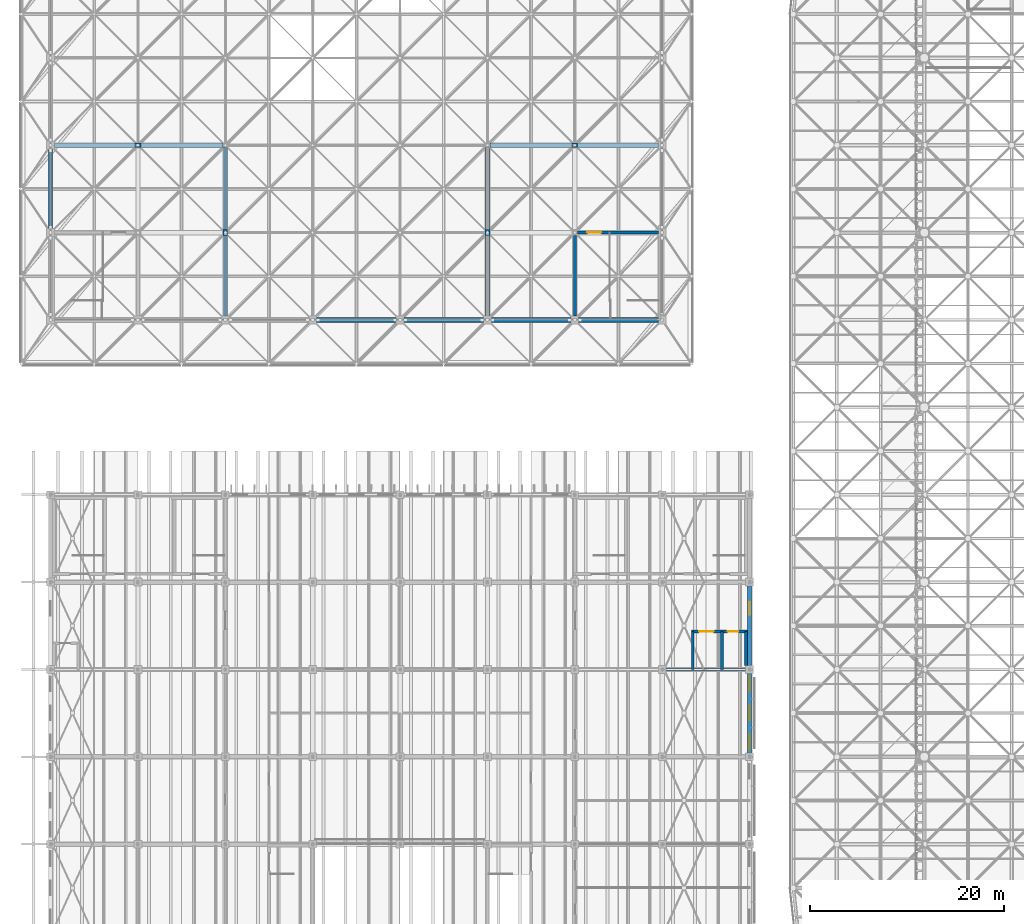
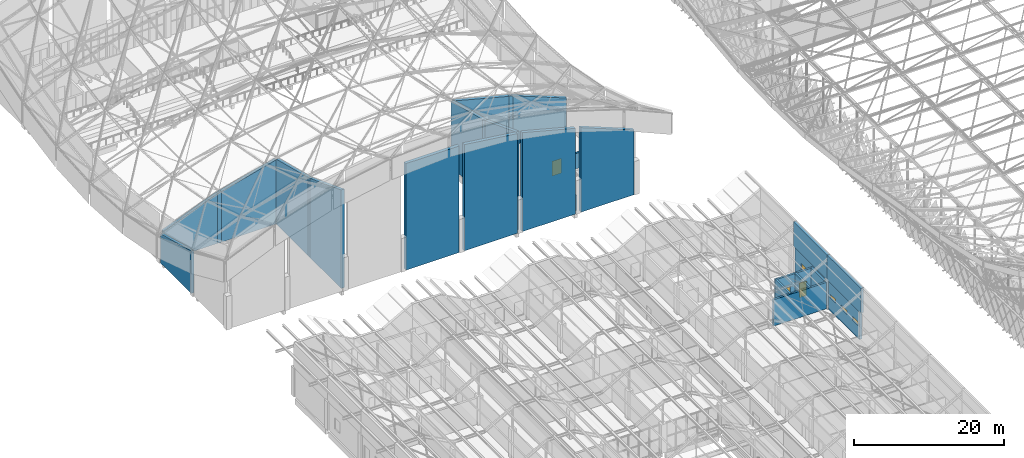
# One storey, part 270 of 437: 28 walls, 4 windows, 3 doors, 7 openings.
"""IFC4 building model written with IfcOpenShell, lengths in metres."""

from ifc_helpers import new_model, si_unit, direction, frame, frame_2d, origin, place, context, subcontext, project, spatial, polyline, rectangle, outline, extrude, material, layer, layer_set, type_object, element, fill, save


model = new_model("IFC4")

# Units and contexts
model_context = context("Model", 3, precision=1e-05, world=origin(), true_north=direction((0.0, 1.0)))
body_context = subcontext(model_context, "Body", "Model", "MODEL_VIEW")
ifc_project = project(units=[si_unit("LENGTHUNIT", "METRE"), si_unit("AREAUNIT", "SQUARE_METRE"), si_unit("VOLUMEUNIT", "CUBIC_METRE"), si_unit("PLANEANGLEUNIT", "RADIAN"), si_unit("MASSUNIT", "GRAM", prefix="KILO")], contexts=[model_context])

# Site, building, storey
site_placement = place(None, origin())
site = spatial("IfcSite", under=ifc_project, at=site_placement, CompositionType="ELEMENT")
building_placement = place(site_placement, origin())
building = spatial("IfcBuilding", under=site, at=building_placement, Name="Opaline Strait Convention Centre", CompositionType="ELEMENT")
storey_placement = place(building_placement, frame((0.0, 0.0, 11.5)))
storey = spatial("IfcBuildingStorey", under=building, at=storey_placement, Name="L02", CompositionType="ELEMENT", Elevation=11.5)

# Walls
ifc_material_1 = material(Name="Concrete C40", Category="concrete")
ifc_layer_1 = layer(ifc_material_1, 0.320068359375)
ifc_material_2 = material(Name="Mineral wool insulation")
ifc_layer_2 = layer(ifc_material_2, 0.050048828125)
ifc_material_3 = material(Name="Gypsum board lining")
ifc_layer_3 = layer(ifc_material_3, 0.030029296875)
ifc_layer_set_1 = layer_set([ifc_layer_1, ifc_layer_2, ifc_layer_3], Name="Concrete C40, Mineral wool insulation, Gypsum board lining")
wall_type_1 = type_object("IfcWallType", Name="RC external wall 400 C40", PredefinedType="SOLIDWALL", material=ifc_layer_set_1)
wall_1_placement = place(storey_placement, frame((9.0, 126.39990234375, 0.0), z_axis=(0.0, 0.0, 1.0), x_axis=(0.0, 1.0, 0.0)))
element("IfcWall", 1, at=wall_1_placement, inside=storey, type_object=wall_type_1, Name="PW1 west wall L02 2/Q-2/R", PredefinedType="SOLIDWALL", context=body_context, shape_type="SweptSolid", body=[
    extrude(outline(polyline([(0.0, 0.0), (8.2001953125, 0.0), (8.199951171875, 4.775634765625), (0.0, 6.935546875), (0.0, 0.0)])), frame((0.0, 0.199951171875, 0.0), z_axis=(0.0, -1.0, 0.0), x_axis=(1.0, 0.0, 0.0)), (0.0, 0.0, 1.0), 0.39990234375),
])
ifc_layer_4 = layer(ifc_material_1, 0.419921875)
ifc_layer_5 = layer(ifc_material_2, 0.050048828125)
ifc_layer_6 = layer(ifc_material_3, 0.030029296875)
ifc_layer_set_2 = layer_set([ifc_layer_4, ifc_layer_5, ifc_layer_6], Name="Concrete C40, Mineral wool insulation, Gypsum board lining")
wall_type_2 = type_object("IfcWallType", Name="RC stage wall 500 C40", PredefinedType="SOLIDWALL", material=ifc_layer_set_2)
wall_2_placement = place(storey_placement, frame((36.39990234375, 117.0, 0.0), z_axis=(0.0, 0.0, 1.0), x_axis=(1.0, 0.0, 0.0)))
element("IfcWall", 2, at=wall_2_placement, inside=storey, type_object=wall_type_2, Name="PW2 south stage wall L02 5/P-6/P", PredefinedType="SOLIDWALL", context=body_context, shape_type="SweptSolid", body=[
    extrude(outline(polyline([(0.0, 0.0), (8.2001953125, 0.0), (8.199951171875, 17.397216796875), (0.0, 17.397216796875), (0.0, 0.0)])), frame((0.0, 0.25, 0.0), z_axis=(0.0, -1.0, 0.0), x_axis=(1.0, 0.0, 0.0)), (0.0, 0.0, 1.0), 0.5),
])
wall_3_placement = place(storey_placement, frame((45.39990234375, 117.0, 0.0), z_axis=(0.0, 0.0, 1.0), x_axis=(1.0, 0.0, 0.0)))
element("IfcWall", 3, at=wall_3_placement, inside=storey, type_object=wall_type_2, Name="PW2 south stage wall L02 6/P-7/P", PredefinedType="SOLIDWALL", context=body_context, shape_type="SweptSolid", body=[
    extrude(outline(polyline([(0.0, 0.0), (8.2001953125, 0.0), (8.199951171875, 16.26708984375), (0.0, 17.34619140625), (0.0, 0.0)])), frame((0.0, 0.25, 0.0), z_axis=(0.0, -1.0, 0.0), x_axis=(1.0, 0.0, 0.0)), (0.0, 0.0, 1.0), 0.5),
])
wall_4_placement = place(storey_placement, frame((54.39990234375, 117.0, 0.0), z_axis=(0.0, 0.0, 1.0), x_axis=(1.0, 0.0, 0.0)))
element("IfcWall", 4, at=wall_4_placement, inside=storey, type_object=wall_type_2, Name="PW2 south stage wall L02 7/P-8/P", PredefinedType="SOLIDWALL", context=body_context, shape_type="SweptSolid", body=[
    extrude(outline(polyline([(0.0, 0.0), (8.2001953125, 0.0), (8.199951171875, 13.993896484375), (0.0, 16.152587890625), (0.0, 0.0)])), frame((0.0, 0.25, 0.0), z_axis=(0.0, -1.0, 0.0), x_axis=(1.0, 0.0, 0.0)), (0.0, 0.0, 1.0), 0.5),
])
wall_5_placement = place(storey_placement, frame((63.39990234375, 117.0, 0.0), z_axis=(0.0, 0.0, 1.0), x_axis=(1.0, 0.0, 0.0)))
element("IfcWall", 5, at=wall_5_placement, inside=storey, type_object=wall_type_2, Name="PW2 south stage wall L02 8/P-9/P", PredefinedType="SOLIDWALL", context=body_context, shape_type="SweptSolid", body=[
    extrude(outline(polyline([(0.0, 0.0), (8.2001953125, 0.0), (8.199951171875, 10.578125), (0.0, 13.816162109375), (0.0, 0.0)])), frame((0.0, 0.25, 0.0), z_axis=(0.0, -1.0, 0.0), x_axis=(1.0, 0.0, 0.0)), (0.0, 0.0, 1.0), 0.5),
])
wall_6_placement = place(storey_placement, frame((9.39990234375, 135.0, 0.0), z_axis=(0.0, 0.0, 1.0), x_axis=(1.0, 0.0, 0.0)))
element("IfcWall", 6, at=wall_6_placement, inside=storey, type_object=wall_type_2, Name="PW2 proscenium wall L02 wing", PredefinedType="SOLIDWALL", context=body_context, shape_type="SweptSolid", body=[
    extrude(outline(polyline([(0.0, 0.0), (8.300048828125, 0.0), (8.300048828125, 8.139892578125), (0.0, 4.86376953125), (0.0, 0.0)])), frame((0.0, 0.25, 0.0), z_axis=(0.0, -1.0, 0.0), x_axis=(1.0, 0.0, 0.0)), (0.0, 0.0, 1.0), 0.5),
])
wall_7_placement = place(storey_placement, frame((18.300048828125, 135.0, 0.0), z_axis=(0.0, 0.0, 1.0), x_axis=(1.0, 0.0, 0.0)))
element("IfcWall", 7, at=wall_7_placement, inside=storey, type_object=wall_type_2, Name="PW2 proscenium wall L02 wing", PredefinedType="SOLIDWALL", context=body_context, shape_type="SweptSolid", body=[
    extrude(outline(polyline([(0.0, 0.0), (8.449951171875, 0.0), (8.449951171875, 10.4765625), (0.0, 8.25439453125), (0.0, 0.0)])), frame((0.0, 0.25, 0.0), z_axis=(0.0, -1.0, 0.0), x_axis=(1.0, 0.0, 0.0)), (0.0, 0.0, 1.0), 0.5),
])
wall_8_placement = place(storey_placement, frame((54.25, 135.0, 0.0), z_axis=(0.0, 0.0, 1.0), x_axis=(1.0, 0.0, 0.0)))
element("IfcWall", 8, at=wall_8_placement, inside=storey, type_object=wall_type_2, Name="PW2 proscenium wall L02 wing", PredefinedType="SOLIDWALL", context=body_context, shape_type="SweptSolid", body=[
    extrude(outline(polyline([(0.0, 0.0), (8.449951171875, 0.0), (8.449951171875, 8.25439453125), (0.0, 10.4765625), (0.0, 0.0)])), frame((0.0, 0.25, 0.0), z_axis=(0.0, -1.0, 0.0), x_axis=(1.0, 0.0, 0.0)), (0.0, 0.0, 1.0), 0.5),
])
wall_9_placement = place(storey_placement, frame((63.300048828125, 135.0, 0.0), z_axis=(0.0, 0.0, 1.0), x_axis=(1.0, 0.0, 0.0)))
element("IfcWall", 9, at=wall_9_placement, inside=storey, type_object=wall_type_2, Name="PW2 proscenium wall L02 wing", PredefinedType="SOLIDWALL", context=body_context, shape_type="SweptSolid", body=[
    extrude(outline(polyline([(0.0, 0.0), (8.300048828125, 0.0), (8.300048828125, 4.86376953125), (0.0, 8.139892578125), (0.0, 0.0)])), frame((0.0, 0.25, 0.0), z_axis=(0.0, -1.0, 0.0), x_axis=(1.0, 0.0, 0.0)), (0.0, 0.0, 1.0), 0.5),
])
wall_10_placement = place(storey_placement, frame((27.0, 117.39990234375, 0.0), z_axis=(0.0, 0.0, 1.0), x_axis=(0.0, 1.0, 0.0)))
element("IfcWall", 10, at=wall_10_placement, inside=storey, type_object=wall_type_2, Name="PW2 stage side wall L02 at 4/P", PredefinedType="SOLIDWALL", context=body_context, shape_type="SweptSolid", body=[
    extrude(outline(polyline([(0.0, 0.0), (8.300048828125, 0.0), (8.300048828125, 12.921630859375), (0.0, 16.07763671875), (0.0, 0.0)])), frame((0.0, 0.25, 0.0), z_axis=(0.0, -1.0, 0.0), x_axis=(1.0, 0.0, 0.0)), (0.0, 0.0, 1.0), 0.5),
])
wall_11_placement = place(storey_placement, frame((27.0, 126.300048828125, 0.0), z_axis=(0.0, 0.0, 1.0), x_axis=(0.0, 1.0, 0.0)))
element("IfcWall", 11, at=wall_11_placement, inside=storey, type_object=wall_type_2, Name="PW2 stage side wall L02 at 4/P", PredefinedType="SOLIDWALL", context=body_context, shape_type="SweptSolid", body=[
    extrude(outline(polyline([(0.0, 0.0), (8.449951171875, 0.0), (8.449951171875, 10.588134765625), (0.0, 12.731201171875), (0.0, 0.0)])), frame((0.0, 0.25, 0.0), z_axis=(0.0, -1.0, 0.0), x_axis=(1.0, 0.0, 0.0)), (0.0, 0.0, 1.0), 0.5),
])
wall_12_placement = place(storey_placement, frame((54.0, 117.39990234375, 0.0), z_axis=(0.0, 0.0, 1.0), x_axis=(0.0, 1.0, 0.0)))
element("IfcWall", 12, at=wall_12_placement, inside=storey, type_object=wall_type_2, Name="PW2 stage side wall L02 at 7/P", PredefinedType="SOLIDWALL", context=body_context, shape_type="SweptSolid", body=[
    extrude(outline(polyline([(0.0, 0.0), (8.300048828125, 0.0), (8.300048828125, 12.921630859375), (0.0, 16.07763671875), (0.0, 0.0)])), frame((0.0, 0.25, 0.0), z_axis=(0.0, -1.0, 0.0), x_axis=(1.0, 0.0, 0.0)), (0.0, 0.0, 1.0), 0.5),
])
wall_13_placement = place(storey_placement, frame((54.0, 126.300048828125, 0.0), z_axis=(0.0, 0.0, 1.0), x_axis=(0.0, 1.0, 0.0)))
element("IfcWall", 13, at=wall_13_placement, inside=storey, type_object=wall_type_2, Name="PW2 stage side wall L02 at 7/P", PredefinedType="SOLIDWALL", context=body_context, shape_type="SweptSolid", body=[
    extrude(outline(polyline([(0.0, 0.0), (8.449951171875, 0.0), (8.449951171875, 10.588134765625), (0.0, 12.731201171875), (0.0, 0.0)])), frame((0.0, 0.25, 0.0), z_axis=(0.0, -1.0, 0.0), x_axis=(1.0, 0.0, 0.0)), (0.0, 0.0, 1.0), 0.5),
])
for number, where, z_axis, x_axis, name in (
    (14, (27.0, 125.699951171875, 0.0), (0.0, 0.0, 1.0), (0.0, 1.0, 0.0), "PW2 stage side wall L02 at 4/Q"),
    (15, (54.0, 125.699951171875, 0.0), (0.0, 0.0, 1.0), (0.0, 1.0, 0.0), "PW2 stage side wall L02 at 7/Q"),
):
    element("IfcWall", number, at=place(storey_placement, frame(where, z_axis=z_axis, x_axis=x_axis)), inside=storey, type_object=wall_type_2, Name=name, PredefinedType="SOLIDWALL", context=body_context, shape_type="SweptSolid", body=[
        extrude(outline(polyline([(0.0, 0.0), (0.60009765625, 0.0), (0.60009765625, 12.731201171875), (0.0, 12.921630859375), (0.0, 0.0)])), frame((0.0, 0.25, 0.0), z_axis=(0.0, -1.0, 0.0), x_axis=(1.0, 0.0, 0.0)), (0.0, 0.0, 1.0), 0.5),
    ])
wall_14_placement = place(storey_placement, frame((17.699951171875, 135.0, 0.0), z_axis=(0.0, 0.0, 1.0), x_axis=(1.0, 0.0, 0.0)))
element("IfcWall", 16, at=wall_14_placement, inside=storey, type_object=wall_type_2, Name="PW2 proscenium wall L02 wing", PredefinedType="SOLIDWALL", context=body_context, shape_type="SweptSolid", body=[
    extrude(outline(polyline([(0.0, 0.0), (0.60009765625, 0.0), (0.60009765625, 8.33056640625), (0.300048828125, 8.25439453125), (0.0, 8.025634765625), (0.0, 0.0)])), frame((0.0, 0.25, 0.0), z_axis=(0.0, -1.0, 0.0), x_axis=(1.0, 0.0, 0.0)), (0.0, 0.0, 1.0), 0.5),
])
wall_15_placement = place(storey_placement, frame((62.699951171875, 135.0, 0.0), z_axis=(0.0, 0.0, 1.0), x_axis=(1.0, 0.0, 0.0)))
element("IfcWall", 17, at=wall_15_placement, inside=storey, type_object=wall_type_2, Name="PW2 proscenium wall L02 wing", PredefinedType="SOLIDWALL", context=body_context, shape_type="SweptSolid", body=[
    extrude(outline(polyline([(0.0, 0.0), (0.60009765625, 0.0), (0.60009765625, 8.025634765625), (0.300048828125, 8.25439453125), (0.0, 8.33056640625), (0.0, 0.0)])), frame((0.0, 0.25, 0.0), z_axis=(0.0, -1.0, 0.0), x_axis=(1.0, 0.0, 0.0)), (0.0, 0.0, 1.0), 0.5),
])
ifc_layer_7 = layer(ifc_material_1, 0.300048828125)
ifc_layer_set_3 = layer_set([ifc_layer_7], Name="Concrete C40")
wall_type_3 = type_object("IfcWallType", Name="RC stair core wall 300 C40", PredefinedType="SOLIDWALL", material=ifc_layer_set_3)
wall_16_placement = place(storey_placement, frame((63.0, 117.39990234375, 0.0), z_axis=(0.0, 0.0, 1.0), x_axis=(0.0, 1.0, 0.0)))
element("IfcWall", 18, at=wall_16_placement, inside=storey, type_object=wall_type_3, Name="PW13 L02 SE core side wall", PredefinedType="SOLIDWALL", context=body_context, shape_type="SweptSolid", body=[
    extrude(rectangle(XDim=8.300048828125, YDim=0.300048828125, at=frame_2d((4.14990234375, 0.0))), origin(), (0.0, 0.0, 1.0), 2.5),
])

# Wall, opening, door
wall_17_placement = place(storey_placement, frame((63.300048828125, 126.0, 0.0), z_axis=(0.0, 0.0, 1.0), x_axis=(1.0, 0.0, 0.0)))
wall_17 = element("IfcWall", 19, at=wall_17_placement, inside=storey, type_object=wall_type_3, Name="PW13 L02 SE core cross wall", PredefinedType="SOLIDWALL", context=body_context, shape_type="SweptSolid", body=[
    extrude(rectangle(XDim=8.300048828125, YDim=0.300048828125, at=frame_2d((4.14990234375, 0.0))), origin(), (0.0, 0.0, 1.0), 2.5),
])
opening_1_placement = place(wall_17_placement, frame((1.0, 0.0, 0.0)))
opening_1 = element("IfcOpeningElement", 20, at=opening_1_placement, cuts=wall_17, Name="Opening P2-002", PredefinedType="OPENING", context=body_context, shape_type="SweptSolid", body=[
    extrude(rectangle(XDim=1.39990234375, YDim=2.39990234375, at=frame_2d((0.699951171875, 1.199951171875))), frame((0.0, 0.159912109375, 0.0), z_axis=(0.0, -1.0, 0.0), x_axis=(1.0, 0.0, 0.0)), (0.0, 0.0, 1.0), 0.320068359375),
])
ifc_material_4 = material(Name="Steel Q235B", Category="steel")
door_type_1 = type_object("IfcDoorType", Name="Fire door FD60 1400 x 2400", OperationType="DOUBLE_DOOR_SINGLE_SWING", PredefinedType="DOOR", material=ifc_material_4)
door_1_placement = place(opening_1_placement, origin())
door_1 = element("IfcDoor", 21, at=door_1_placement, inside=storey, type_object=door_type_1, Name="SE stair core door", ObjectType="PD8", OperationType="SINGLE_SWING_LEFT", OverallHeight=2.39990234375, OverallWidth=1.39990234375, PredefinedType="DOOR", context=body_context, shape_type="SweptSolid", body=[
    extrude(rectangle(XDim=1.39990234375, YDim=2.39990234375, at=frame_2d((0.699951171875, 1.199951171875))), frame((0.0, 0.02490234375, 0.0), z_axis=(0.0, -1.0, 0.0), x_axis=(1.0, 0.0, 0.0)), (0.0, 0.0, 1.0), 0.050048828125),
])
fill(opening_1, door_1)

# Wall
ifc_layer_8 = layer(ifc_material_1, 0.300048828125)
ifc_layer_set_4 = layer_set([ifc_layer_8], Name="Concrete C40")
wall_type_4 = type_object("IfcWallType", Name="RC wall 300 C40", PredefinedType="SOLIDWALL", material=ifc_layer_set_4)
wall_18_placement = place(storey_placement, frame((80.60009765625, 81.0, 0.0), z_axis=(0.0, 0.0, 1.0), x_axis=(-1.0, 0.0, 0.0)))
element("IfcWall", 22, at=wall_18_placement, inside=storey, type_object=wall_type_4, Name="NE core BND-N wall", PredefinedType="SOLIDWALL", context=body_context, shape_type="SweptSolid", body=[
    extrude(rectangle(XDim=8.2001953125, YDim=0.300048828125, at=frame_2d((4.10009765625, 0.0))), origin(), (0.0, 0.0, 1.0), 4.300048828125),
])

# Wall, openings, doors
wall_19_placement = place(storey_placement, frame((80.800048828125, 84.89990234375, 0.0), z_axis=(0.0, 0.0, 1.0), x_axis=(-1.0, 0.0, 0.0)))
wall_19 = element("IfcWall", 23, at=wall_19_placement, inside=storey, type_object=wall_type_4, Name="NE core LIFT-S wall", PredefinedType="SOLIDWALL", context=body_context, shape_type="SweptSolid", body=[
    extrude(rectangle(XDim=5.800048828125, YDim=0.300048828125, at=frame_2d((2.89990234375, 0.0))), origin(), (0.0, 0.0, 1.0), 4.300048828125),
])
opening_2_placement = place(wall_19_placement, frame((0.949951171875, 0.0, 0.0)))
opening_2 = element("IfcOpeningElement", 24, at=opening_2_placement, cuts=wall_19, Name="Opening R2-021", PredefinedType="OPENING", context=body_context, shape_type="SweptSolid", body=[
    extrude(rectangle(XDim=1.10009765625, YDim=2.39990234375, at=frame_2d((0.550048828125, 1.199951171875))), frame((0.0, 0.159912109375, 0.0), z_axis=(0.0, -1.0, 0.0), x_axis=(1.0, 0.0, 0.0)), (0.0, 0.0, 1.0), 0.320068359375),
])
opening_3_placement = place(wall_19_placement, frame((3.5, 0.0, 0.0)))
opening_3 = element("IfcOpeningElement", 25, at=opening_3_placement, cuts=wall_19, Name="Opening R2-022", PredefinedType="OPENING", context=body_context, shape_type="SweptSolid", body=[
    extrude(rectangle(XDim=1.5, YDim=2.39990234375, at=frame_2d((0.75, 1.199951171875))), frame((0.0, 0.159912109375, 0.0), z_axis=(0.0, -1.0, 0.0), x_axis=(1.0, 0.0, 0.0)), (0.0, 0.0, 1.0), 0.320068359375),
])
ifc_material_5 = material(Name="Stainless steel 304 door leaves", Category="steel")
door_type_2 = type_object("IfcDoorType", Name="Lift landing door 1100x2400 sliding FD60", OperationType="SLIDING_TO_LEFT", PredefinedType="DOOR", material=ifc_material_5)
door_2_placement = place(opening_2_placement, frame((1.10009765625, 0.0, 0.0), z_axis=(0.0, 0.0, 1.0), x_axis=(-1.0, 0.0, 0.0)))
door_2 = element("IfcDoor", 26, at=door_2_placement, inside=storey, type_object=door_type_2, Name="Lift landing door NEP R2-021", ObjectType="LD1", OperationType="SLIDING_TO_LEFT", OverallHeight=2.39990234375, OverallWidth=1.10009765625, PredefinedType="DOOR", context=body_context, shape_type="SweptSolid", body=[
    extrude(rectangle(XDim=1.10009765625, YDim=2.39990234375, at=frame_2d((0.550048828125, 1.199951171875))), frame((0.0, 0.02490234375, 0.0), z_axis=(0.0, -1.0, 0.0), x_axis=(1.0, 0.0, 0.0)), (0.0, 0.0, 1.0), 0.050048828125),
])
fill(opening_2, door_2)
door_type_3 = type_object("IfcDoorType", Name="Lift landing door 1500x2400 sliding FD60", OperationType="SLIDING_TO_LEFT", PredefinedType="DOOR", material=ifc_material_5)
door_3_placement = place(opening_3_placement, frame((1.5, 0.0, 0.0), z_axis=(0.0, 0.0, 1.0), x_axis=(-1.0, 0.0, 0.0)))
door_3 = element("IfcDoor", 27, at=door_3_placement, inside=storey, type_object=door_type_3, Name="Lift landing door NEG R2-022", ObjectType="LD2", OperationType="SLIDING_TO_LEFT", OverallHeight=2.39990234375, OverallWidth=1.5, PredefinedType="DOOR", context=body_context, shape_type="SweptSolid", body=[
    extrude(rectangle(XDim=1.5, YDim=2.39990234375, at=frame_2d((0.75, 1.199951171875))), frame((0.0, 0.02490234375, 0.0), z_axis=(0.0, -1.0, 0.0), x_axis=(1.0, 0.0, 0.0)), (0.0, 0.0, 1.0), 0.050048828125),
])
fill(opening_3, door_3)

# Walls
for number, where, z_axis, x_axis, name in (
    (28, (78.14990234375, 84.89990234375, 0.0), (0.0, 0.0, 1.0), (0.0, -1.0, 0.0), "NE core LIFT-M wall"),
    (29, (75.14990234375, 84.89990234375, 0.0), (0.0, 0.0, 1.0), (0.0, -1.0, 0.0), "NE core LIFT-GE wall"),
):
    element("IfcWall", number, at=place(storey_placement, frame(where, z_axis=z_axis, x_axis=x_axis)), inside=storey, type_object=wall_type_4, Name=name, PredefinedType="SOLIDWALL", context=body_context, shape_type="SweptSolid", body=[
        extrude(rectangle(XDim=3.89990234375, YDim=0.300048828125, at=frame_2d((1.949951171875, 0.0))), origin(), (0.0, 0.0, 1.0), 4.300048828125),
    ])
wall_20_placement = place(storey_placement, frame((80.64990234375, 84.89990234375, 0.0), z_axis=(0.0, 0.0, 1.0), x_axis=(0.0, -1.0, 0.0)))
element("IfcWall", 30, at=wall_20_placement, inside=storey, type_object=wall_type_4, Name="NE core LIFT-W wall", PredefinedType="SOLIDWALL", context=body_context, shape_type="SweptSolid", body=[
    extrude(rectangle(XDim=3.5, YDim=0.300048828125, at=frame_2d((1.75, 0.0))), origin(), (0.0, 0.0, 1.0), 4.300048828125),
])
ifc_layer_9 = layer(ifc_material_1, 0.320068359375)
ifc_layer_10 = layer(ifc_material_2, 0.050048828125)
ifc_layer_11 = layer(ifc_material_3, 0.030029296875)
ifc_layer_set_5 = layer_set([ifc_layer_9, ifc_layer_10, ifc_layer_11], Name="Concrete C40, Mineral wool insulation, Gypsum board lining")
wall_type_5 = type_object("IfcWallType", Name="RC wall 400 C40", PredefinedType="SOLIDWALL", material=ifc_layer_set_5)
for number, where, z_axis, x_axis, name in (
    (31, (81.0, 72.0, 4.550048828125), (0.0, 0.0, 1.0), (0.0, 1.0, 0.0), "E roof infill wall 8"),
    (32, (81.0, 81.0, 4.550048828125), (0.0, 0.0, 1.0), (0.0, 1.0, 0.0), "E roof infill wall 9"),
):
    element("IfcWall", number, at=place(storey_placement, frame(where, z_axis=z_axis, x_axis=x_axis)), inside=storey, type_object=wall_type_5, Name=name, PredefinedType="SOLIDWALL", context=body_context, shape_type="SweptSolid", body=[
        extrude(rectangle(XDim=9.0, YDim=0.39990234375, at=frame_2d((4.5, 0.0))), origin(), (0.0, 0.0, 1.0), 4.0283203125),
    ])

# Wall, openings, windows
wall_21_placement = place(storey_placement, frame((81.0, 72.39990234375, 0.0), z_axis=(0.0, 0.0, 1.0), x_axis=(0.0, 1.0, 0.0)))
wall_21 = element("IfcWall", 33, at=wall_21_placement, inside=storey, type_object=wall_type_5, Name="L02 E external wall 8", PredefinedType="SOLIDWALL", context=body_context, shape_type="SweptSolid", body=[
    extrude(rectangle(XDim=8.2001953125, YDim=0.39990234375, at=frame_2d((4.10009765625, 0.0))), origin(), (0.0, 0.0, 1.0), 4.550048828125),
])
opening_4_placement = place(wall_21_placement, frame((0.35009765625, 0.0, 2.10009765625)))
opening_4 = element("IfcOpeningElement", 34, at=opening_4_placement, cuts=wall_21, Name="Opening RWN5", PredefinedType="OPENING", context=body_context, shape_type="SweptSolid", body=[
    extrude(rectangle(XDim=1.5, YDim=0.60009765625, at=frame_2d((0.75, 0.300048828125))), frame((0.0, 0.2099609375, 0.0), z_axis=(0.0, -1.0, 0.0), x_axis=(1.0, 0.0, 0.0)), (0.0, 0.0, 1.0), 0.419921875),
])
opening_5_placement = place(wall_21_placement, frame((3.35009765625, 0.0, 2.10009765625)))
opening_5 = element("IfcOpeningElement", 35, at=opening_5_placement, cuts=wall_21, Name="Opening RWN5", PredefinedType="OPENING", context=body_context, shape_type="SweptSolid", body=[
    extrude(rectangle(XDim=1.5, YDim=0.60009765625, at=frame_2d((0.75, 0.300048828125))), frame((0.0, 0.2099609375, 0.0), z_axis=(0.0, -1.0, 0.0), x_axis=(1.0, 0.0, 0.0)), (0.0, 0.0, 1.0), 0.419921875),
])
opening_6_placement = place(wall_21_placement, frame((6.35009765625, 0.0, 2.10009765625)))
opening_6 = element("IfcOpeningElement", 36, at=opening_6_placement, cuts=wall_21, Name="Opening RWN5", PredefinedType="OPENING", context=body_context, shape_type="SweptSolid", body=[
    extrude(rectangle(XDim=1.5, YDim=0.60009765625, at=frame_2d((0.75, 0.300048828125))), frame((0.0, 0.2099609375, 0.0), z_axis=(0.0, -1.0, 0.0), x_axis=(1.0, 0.0, 0.0)), (0.0, 0.0, 1.0), 0.419921875),
])
ifc_material_6 = material(Name="Aluminium framed double glazing", Category="aluminium")
window_type_1 = type_object("IfcWindowType", Name="Window 1500x600 sill 2100", PartitioningType="SINGLE_PANEL", PredefinedType="WINDOW", material=ifc_material_6)
window_1_placement = place(opening_4_placement, origin())
window_1 = element("IfcWindow", 37, at=window_1_placement, inside=storey, type_object=window_type_1, Name="Window L02-E8-W1", OverallHeight=0.60009765625, OverallWidth=1.5, PartitioningType="SINGLE_PANEL", PredefinedType="WINDOW", context=body_context, shape_type="SweptSolid", body=[
    extrude(rectangle(XDim=1.5, YDim=0.60009765625, at=frame_2d((0.75, 0.300048828125))), frame((0.0, 0.030029296875, 0.0), z_axis=(0.0, -1.0, 0.0), x_axis=(1.0, 0.0, 0.0)), (0.0, 0.0, 1.0), 0.06005859375),
])
fill(opening_4, window_1)
window_2_placement = place(opening_5_placement, origin())
window_2 = element("IfcWindow", 38, at=window_2_placement, inside=storey, type_object=window_type_1, Name="Window L02-E8-W2", OverallHeight=0.60009765625, OverallWidth=1.5, PartitioningType="SINGLE_PANEL", PredefinedType="WINDOW", context=body_context, shape_type="SweptSolid", body=[
    extrude(rectangle(XDim=1.5, YDim=0.60009765625, at=frame_2d((0.75, 0.300048828125))), frame((0.0, 0.030029296875, 0.0), z_axis=(0.0, -1.0, 0.0), x_axis=(1.0, 0.0, 0.0)), (0.0, 0.0, 1.0), 0.06005859375),
])
fill(opening_5, window_2)
window_3_placement = place(opening_6_placement, origin())
window_3 = element("IfcWindow", 39, at=window_3_placement, inside=storey, type_object=window_type_1, Name="Window L02-E8-W3", OverallHeight=0.60009765625, OverallWidth=1.5, PartitioningType="SINGLE_PANEL", PredefinedType="WINDOW", context=body_context, shape_type="SweptSolid", body=[
    extrude(rectangle(XDim=1.5, YDim=0.60009765625, at=frame_2d((0.75, 0.300048828125))), frame((0.0, 0.030029296875, 0.0), z_axis=(0.0, -1.0, 0.0), x_axis=(1.0, 0.0, 0.0)), (0.0, 0.0, 1.0), 0.06005859375),
])
fill(opening_6, window_3)

# Wall, opening, window
wall_22_placement = place(storey_placement, frame((81.0, 81.39990234375, 0.0), z_axis=(0.0, 0.0, 1.0), x_axis=(0.0, 1.0, 0.0)))
wall_22 = element("IfcWall", 40, at=wall_22_placement, inside=storey, type_object=wall_type_5, Name="L02 E external wall 9", PredefinedType="SOLIDWALL", context=body_context, shape_type="SweptSolid", body=[
    extrude(rectangle(XDim=8.2001953125, YDim=0.39990234375, at=frame_2d((4.10009765625, 0.0))), origin(), (0.0, 0.0, 1.0), 4.550048828125),
])
opening_7_placement = place(wall_22_placement, frame((5.14990234375, 0.0, 1.199951171875)))
opening_7 = element("IfcOpeningElement", 41, at=opening_7_placement, cuts=wall_22, Name="Opening RWN4", PredefinedType="OPENING", context=body_context, shape_type="SweptSolid", body=[
    extrude(rectangle(XDim=1.5, YDim=1.800048828125, at=frame_2d((0.75, 0.89990234375))), frame((0.0, 0.2099609375, 0.0), z_axis=(0.0, -1.0, 0.0), x_axis=(1.0, 0.0, 0.0)), (0.0, 0.0, 1.0), 0.419921875),
])
window_type_2 = type_object("IfcWindowType", Name="Window 1500x1800 sill 1200", PartitioningType="SINGLE_PANEL", PredefinedType="WINDOW", material=ifc_material_6)
window_4_placement = place(opening_7_placement, origin())
window_4 = element("IfcWindow", 42, at=window_4_placement, inside=storey, type_object=window_type_2, Name="Window L02-E9-W1", OverallHeight=1.800048828125, OverallWidth=1.5, PartitioningType="SINGLE_PANEL", PredefinedType="WINDOW", context=body_context, shape_type="SweptSolid", body=[
    extrude(rectangle(XDim=1.5, YDim=1.800048828125, at=frame_2d((0.75, 0.89990234375))), frame((0.0, 0.030029296875, 0.0), z_axis=(0.0, -1.0, 0.0), x_axis=(1.0, 0.0, 0.0)), (0.0, 0.0, 1.0), 0.06005859375),
])
fill(opening_7, window_4)

save(model, "model.ifc")
